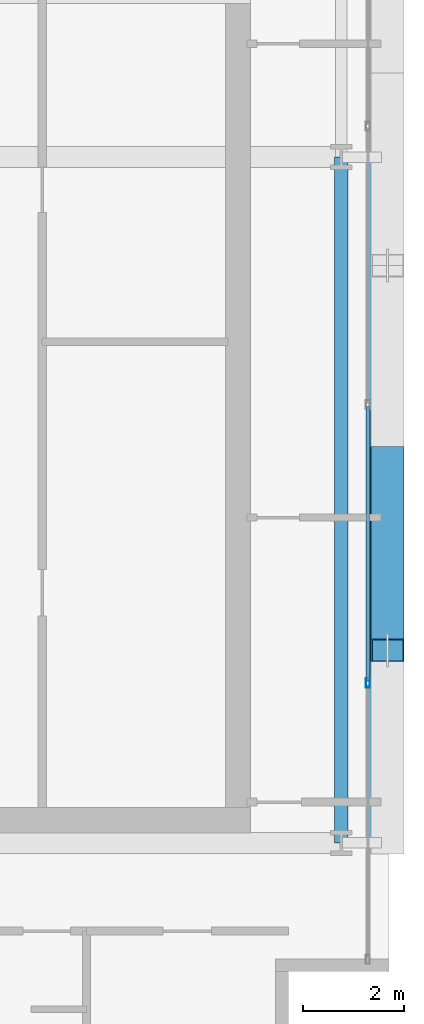
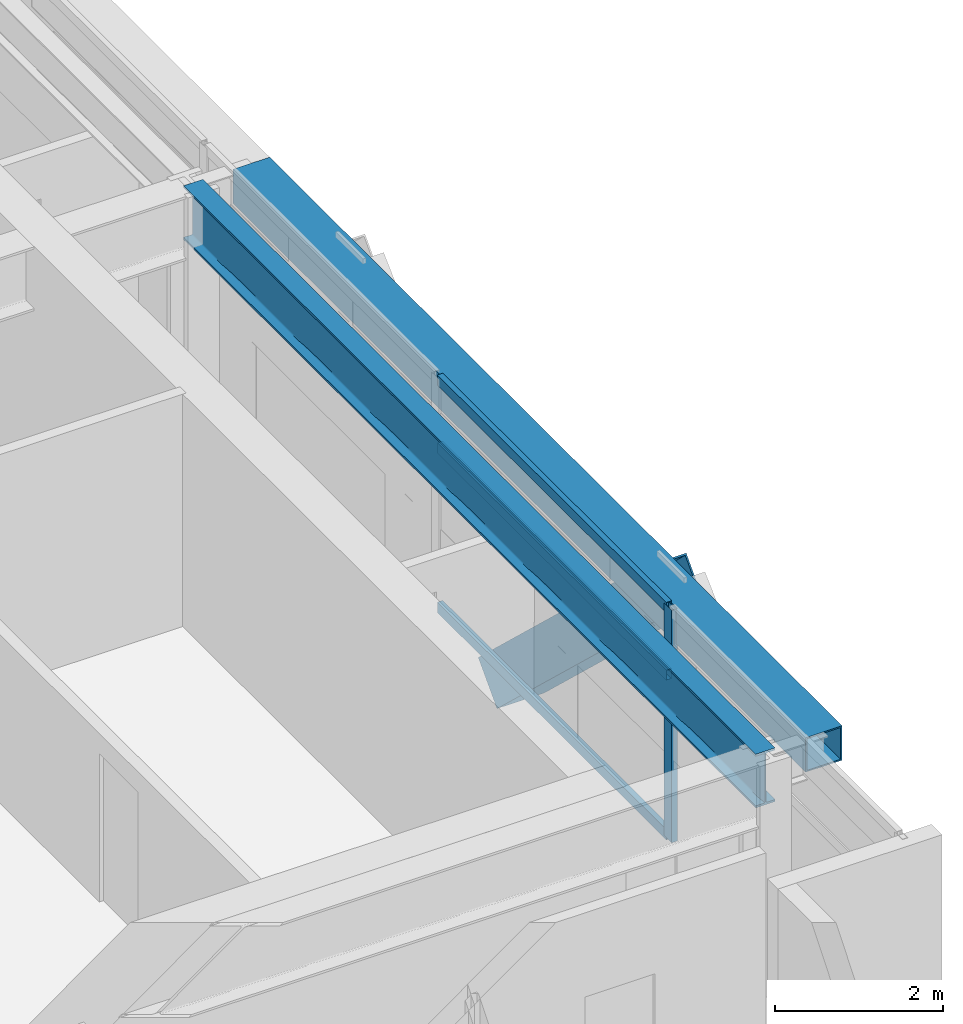
# One storey, part 12 of 31: 5 members, 2 beams, 1 element without a shape of its own.
"""IFC4 building model written with IfcOpenShell, lengths in metres."""

from ifc_helpers import new_model, si_unit, direction, frame, origin, origin_2d, place, context, subcontext, project, spatial, hollow_rectangle, i_section, extrude, source, transform, mapped, material, layer, layer_set, material_profile, profile_set, type_object, element, aggregate, save


model = new_model("IFC4")

# Units and contexts
model_context = context("Model", 3, precision=1e-05, world=origin(), true_north=direction((0.0, 1.0)))
body_context = subcontext(model_context, "Body", "Model", "MODEL_VIEW")
ifc_project = project(units=[si_unit("LENGTHUNIT", "METRE"), si_unit("AREAUNIT", "SQUARE_METRE"), si_unit("VOLUMEUNIT", "CUBIC_METRE"), si_unit("PLANEANGLEUNIT", "RADIAN"), si_unit("MASSUNIT", "GRAM", prefix="KILO")], contexts=[model_context])

# Site, building, storey
site_placement = place(None, origin())
site = spatial("IfcSite", under=ifc_project, at=site_placement, CompositionType="ELEMENT")
building_placement = place(site_placement, origin())
building = spatial("IfcBuilding", under=site, at=building_placement, Name="Ocotamira Hotel", CompositionType="ELEMENT")
storey_placement = place(building_placement, frame((0.0, 0.0, 174.0)))
storey = spatial("IfcBuildingStorey", under=building, at=storey_placement, Name="L43", CompositionType="ELEMENT", Elevation=174.0)

# Beams
ifc_material_1 = material(Name="Steel ASTM A992 Grade 50", Category="steel")
ifc_material_profile_1 = material_profile(ifc_material_1, i_section(OverallWidth=0.26611328125, OverallDepth=0.779052734375, WebThickness=0.0166015625, FlangeThickness=0.030029296875, FilletRadius=0.01806640625, at=origin_2d()), Name="W30X148")
ifc_profile_set_1 = profile_set([ifc_material_profile_1], Name="Steel ASTM A992 Grade 50")
beam_type_1 = type_object("IfcBeamType", Name="BM-GIRD-W30X148", PredefinedType="BEAM", material=ifc_profile_set_1)
shared_shape_1 = source(origin(), body_context, "Body", "SweptSolid", [
    extrude(i_section(OverallWidth=0.26611328125, OverallDepth=0.779052734375, WebThickness=0.0166015625, FlangeThickness=0.030029296875, FilletRadius=0.01806640625, at=origin_2d()), origin(), (0.0, 0.0, 1.0), 13.599853515625),
])
beam_1_placement = place(storey_placement, frame((55.050048828125, 14.550048828125, 2.98046875), z_axis=(0.0, 1.0, 0.0), x_axis=(-1.0, 0.0, 0.0)))
element("IfcBeam", 1, at=beam_1_placement, inside=storey, type_object=beam_type_1, Name="L43 Beam X55.05 Y14.55-28.15", PredefinedType="BEAM", context=body_context, shape_type="MappedRepresentation", body=[
    mapped(shared_shape_1, transform((0.0, 0.0, 0.0), scale=1.0)),
])
ifc_material_2 = material(Name="Steel ASTM A500 Grade C", Category="steel")
ifc_material_profile_2 = material_profile(ifc_material_2, hollow_rectangle(XDim=0.5, YDim=0.5, WallThickness=0.02001953125, at=origin_2d()), Name="HSS500X500X20")
ifc_profile_set_2 = profile_set([ifc_material_profile_2], Name="Steel ASTM A500 Grade C")
beam_type_2 = type_object("IfcBeamType", Name="BM-SPAN-HSS500", PredefinedType="USERDEFINED", material=ifc_profile_set_2)
shared_shape_2 = source(origin(), body_context, "Body", "SweptSolid", [
    extrude(hollow_rectangle(XDim=0.5, YDim=0.5, WallThickness=0.02001953125, at=origin_2d()), origin(), (0.0, 0.0, 1.0), 13.599853515625),
])
beam_2_placement = place(storey_placement, frame((55.85009765625, 14.550048828125, 3.1201171875), z_axis=(0.0, 1.0, 0.0), x_axis=(-1.0, 0.0, 0.0)))
element("IfcBeam", 2, at=beam_2_placement, inside=storey, type_object=beam_type_2, Name="L43 Edge Spandrel E Y14.55-28.15", ObjectType="SPANDREL", PredefinedType="USERDEFINED", context=body_context, shape_type="MappedRepresentation", body=[
    mapped(shared_shape_2, transform((0.0, 0.0, 0.0), scale=1.0)),
])

# Member
ifc_material_3 = material(Name="Pale-metal coated steel ASTM A913 Grade 65", Category="steel")
ifc_material_profile_3 = material_profile(ifc_material_3, hollow_rectangle(XDim=0.64990234375, YDim=0.64990234375, WallThickness=0.02197265625, at=origin_2d()), Name="BOX650X650X22")
ifc_profile_set_3 = profile_set([ifc_material_profile_3], Name="Pale-metal coated steel ASTM A913 Grade 65")
member_type_1 = type_object("IfcMemberType", Name="MEM-EXO-BOX650", PredefinedType="BRACE", material=ifc_profile_set_3)
shared_shape_3 = source(origin(), body_context, "Body", "SweptSolid", [
    extrude(hollow_rectangle(XDim=0.64990234375, YDim=0.64990234375, WallThickness=0.02197265625, at=origin_2d()), origin(), (0.0, 0.0, 1.0), 5.24658203125),
])
member_1_placement = place(storey_placement, frame((55.969970703125, 22.183349609375, -0.47998046875), z_axis=(0.0, -0.727442733726, 0.686168397078), x_axis=(1.0, 0.0, 0.0)))
element("IfcMember", 3, at=member_1_placement, inside=storey, type_object=member_type_1, Name="L43 Exoskeleton Diagrid E0.2", PredefinedType="BRACE", context=body_context, shape_type="MappedRepresentation", body=[
    mapped(shared_shape_3, transform((0.0, 0.0, 0.0), scale=1.0)),
])

# Curtain wall, members
ifc_material_4 = material(Name="Anodised pale-metal aluminium and solar glass", Category="aluminium")
ifc_layer = layer(ifc_material_4, 0.199951171875)
ifc_layer_set = layer_set([ifc_layer], Name="Anodised pale-metal aluminium and solar glass")
curtain_wall_type = type_object("IfcCurtainWallType", Name="CW-SYS4-Z3", PredefinedType="NOTDEFINED", material=ifc_layer_set)
curtain_wall_placement = place(storey_placement, origin())
curtain_wall = element("IfcCurtainWall", 4, at=curtain_wall_placement, inside=storey, type_object=curtain_wall_type, Name="L43 Curtain Wall CW-4 CW-L43-E", PredefinedType="NOTDEFINED")
ifc_material_5 = material(Name="Anodised pale-metal aluminium 6063-T6", Category="aluminium")
ifc_material_profile_4 = material_profile(ifc_material_5, hollow_rectangle(XDim=0.080078125, YDim=0.179931640625, WallThickness=0.006103515625, at=origin_2d()), Name="HSS180X80X6")
ifc_profile_set_4 = profile_set([ifc_material_profile_4], Name="Anodised pale-metal aluminium 6063-T6")
member_type_2 = type_object("IfcMemberType", Name="CWM-180X75", PredefinedType="MULLION", material=ifc_profile_set_4)
shared_shape_4 = source(origin(), body_context, "Body", "SweptSolid", [
    extrude(hollow_rectangle(XDim=0.080078125, YDim=0.179931640625, WallThickness=0.006103515625, at=origin_2d()), origin(), (0.0, 0.0, 1.0), 3.3701171875),
])
member_2_placement = place(storey_placement, frame((55.580078125, 17.719970703125, 0.0), z_axis=(0.0, 0.0, 1.0), x_axis=(-1.0, 0.0, 0.0)))
member_2 = element("IfcMember", 5, at=member_2_placement, type_object=member_type_2, Name="CW-4 mullion 2", PredefinedType="MULLION", context=body_context, shape_type="MappedRepresentation", body=[
    mapped(shared_shape_4, transform((0.0, 0.0, 0.0), scale=1.0)),
])
ifc_material_profile_5 = material_profile(ifc_material_5, hollow_rectangle(XDim=0.074951171875, YDim=0.14990234375, WallThickness=0.006103515625, at=origin_2d()), Name="HSS150X75X6")
ifc_profile_set_5 = profile_set([ifc_material_profile_5], Name="Anodised pale-metal aluminium 6063-T6")
member_type_3 = type_object("IfcMemberType", Name="CWT-150X75", PredefinedType="USERDEFINED", material=ifc_profile_set_5)
shared_shape_5 = source(origin(), body_context, "Body", "SweptSolid", [
    extrude(hollow_rectangle(XDim=0.074951171875, YDim=0.14990234375, WallThickness=0.006103515625, at=origin_2d()), origin(), (0.0, 0.0, 1.0), 5.43994140625),
])
member_3_placement = place(storey_placement, frame((55.580078125, 17.760009765625, 0.03759765625), z_axis=(0.0, 1.0, 0.0), x_axis=(-1.0, 0.0, 0.0)))
member_3 = element("IfcMember", 6, at=member_3_placement, type_object=member_type_3, Name="CW-4 transom 2.1", ObjectType="TRANSOM", PredefinedType="USERDEFINED", context=body_context, shape_type="MappedRepresentation", body=[
    mapped(shared_shape_5, transform((0.0, 0.0, 0.0), scale=1.0)),
])
member_4_placement = place(storey_placement, frame((55.580078125, 17.760009765625, 2.35009765625), z_axis=(0.0, 1.0, 0.0), x_axis=(-1.0, 0.0, 0.0)))
member_4 = element("IfcMember", 7, at=member_4_placement, type_object=member_type_3, Name="CW-4 transom 2.2", ObjectType="TRANSOM", PredefinedType="USERDEFINED", context=body_context, shape_type="MappedRepresentation", body=[
    mapped(shared_shape_5, transform((0.0, 0.0, 0.0), scale=1.0)),
])
member_5_placement = place(storey_placement, frame((55.580078125, 17.760009765625, 3.33251953125), z_axis=(0.0, 1.0, 0.0), x_axis=(-1.0, 0.0, 0.0)))
member_5 = element("IfcMember", 8, at=member_5_placement, type_object=member_type_3, Name="CW-4 transom 2.3", ObjectType="TRANSOM", PredefinedType="USERDEFINED", context=body_context, shape_type="MappedRepresentation", body=[
    mapped(shared_shape_5, transform((0.0, 0.0, 0.0), scale=1.0)),
])
aggregate(curtain_wall, [member_2, member_3, member_4, member_5])

save(model, "model.ifc")
